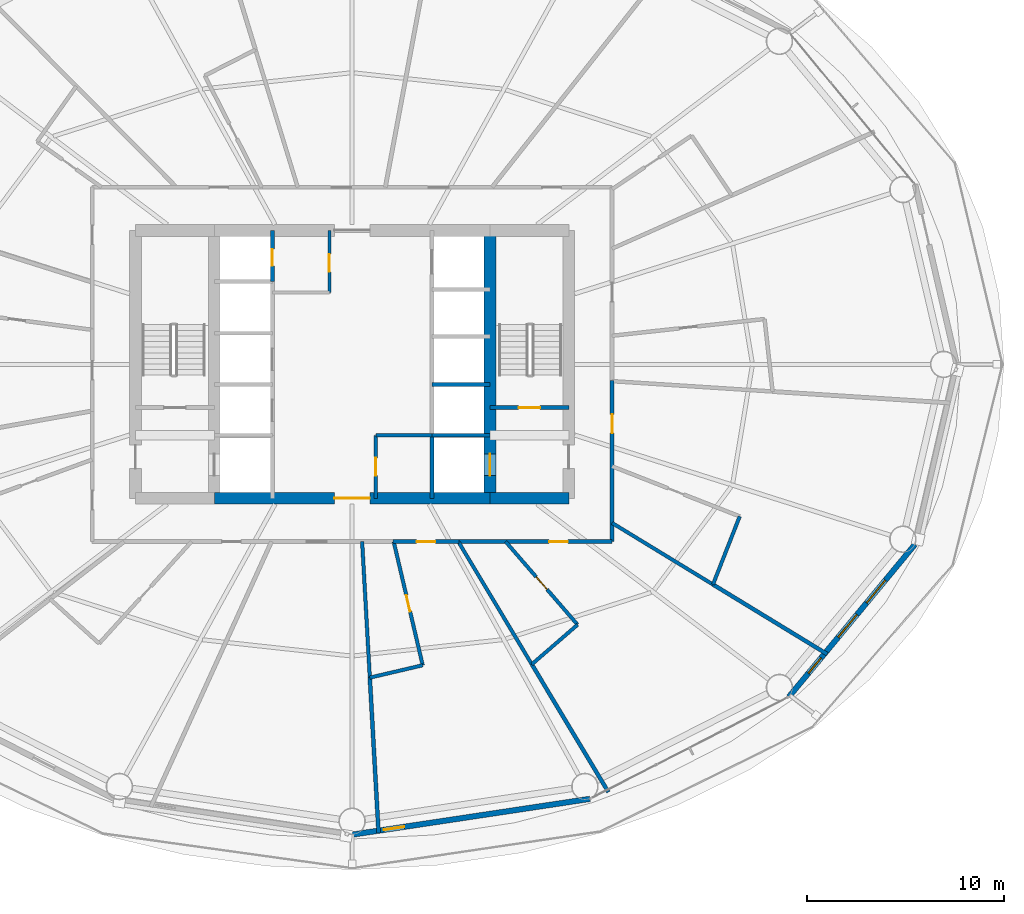
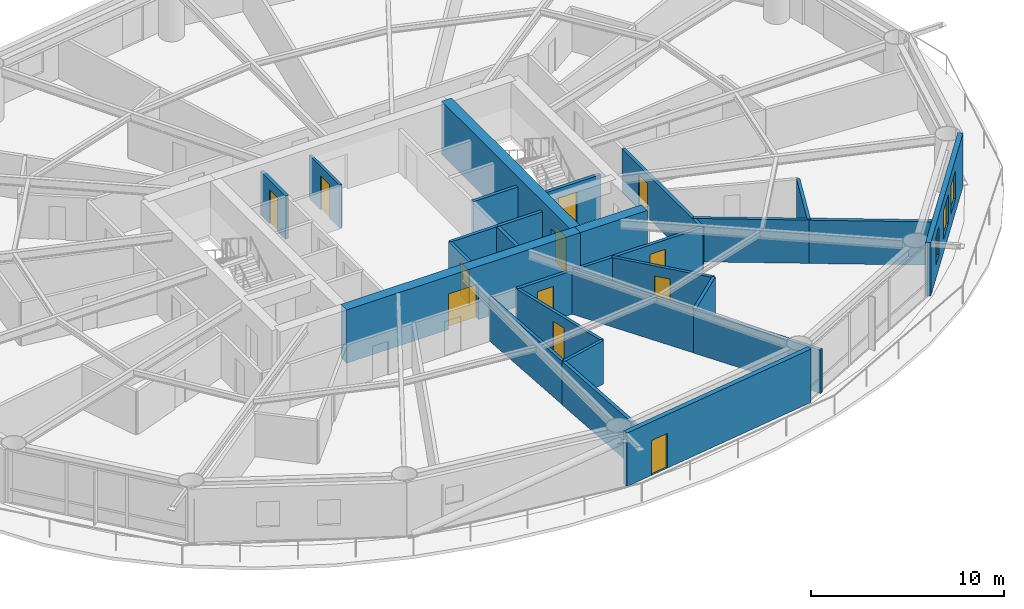
# One storey, part 21 of 26: 27 walls, 12 doors, 3 windows, 15 openings.
"""IFC4 building model written with IfcOpenShell, lengths in metres."""

from ifc_helpers import new_model, si_unit, direction, frame, frame_2d, origin, place, context, subcontext, project, spatial, rectangle, extrude, material, layer, layer_set, type_object, element, fill, save


model = new_model("IFC4")

# Units and contexts
model_context = context("Model", 3, precision=1e-05, world=origin(), true_north=direction((0.0, 1.0)))
body_context = subcontext(model_context, "Body", "Model", "MODEL_VIEW")
ifc_project = project(units=[si_unit("LENGTHUNIT", "METRE"), si_unit("AREAUNIT", "SQUARE_METRE"), si_unit("VOLUMEUNIT", "CUBIC_METRE"), si_unit("PLANEANGLEUNIT", "RADIAN"), si_unit("MASSUNIT", "GRAM", prefix="KILO")], contexts=[model_context])

# Site, building, storey
site_placement = place(None, origin())
site = spatial("IfcSite", under=ifc_project, at=site_placement, CompositionType="ELEMENT")
building_placement = place(site_placement, origin())
building = spatial("IfcBuilding", under=site, at=building_placement, Name="Sarneth Arch Tower", CompositionType="ELEMENT")
storey_placement = place(building_placement, frame((0.0, 0.0, 53.39990234375)))
storey = spatial("IfcBuildingStorey", under=building, at=storey_placement, Name="L12", CompositionType="ELEMENT", Elevation=53.39990234375)

# Wall, opening, door
ifc_material_1 = material(Name="Concrete C60/75", Category="concrete")
ifc_layer_1 = layer(ifc_material_1, 0.60009765625)
ifc_layer_set_1 = layer_set([ifc_layer_1], Name="Concrete C60/75")
wall_type_1 = type_object("IfcWallType", Name="WALL-CORE-600", PredefinedType="SHEAR", material=ifc_layer_set_1)
wall_1_placement = place(storey_placement, frame((41.0, 35.199951171875, 0.0), z_axis=(0.0, 0.0, 1.0), x_axis=(1.0, 0.0, 0.0)))
wall_1 = element("IfcWall", 1, at=wall_1_placement, inside=storey, type_object=wall_type_1, Name="L12 Core shear wall S-M", PredefinedType="SHEAR", context=body_context, shape_type="SweptSolid", body=[
    extrude(rectangle(XDim=14.0, YDim=0.60009765625, at=frame_2d((7.0, 0.0))), origin(), (0.0, 0.0, 1.0), 3.380126953125),
])
opening_1_placement = place(wall_1_placement, frame((6.10009765625, 0.0, 0.0)))
opening_1 = element("IfcOpeningElement", 2, at=opening_1_placement, cuts=wall_1, Name="Opening FD-01", PredefinedType="OPENING", context=body_context, shape_type="SweptSolid", body=[
    extrude(rectangle(XDim=1.800048828125, YDim=2.25, at=frame_2d((0.89990234375, 1.125))), frame((0.0, 0.31005859375, 0.0), z_axis=(0.0, -1.0, 0.0), x_axis=(1.0, 0.0, 0.0)), (0.0, 0.0, 1.0), 0.6201171875),
])
ifc_material_2 = material(Name="Galvanised Steel S275 fire door set", Category="steel")
door_type_1 = type_object("IfcDoorType", Name="DR-FD90-1800", OperationType="DOUBLE_DOOR_SINGLE_SWING", PredefinedType="DOOR", material=ifc_material_2)
door_1_placement = place(opening_1_placement, origin())
door_1 = element("IfcDoor", 3, at=door_1_placement, inside=storey, type_object=door_type_1, Name="L12 Central lift lobby south door", OperationType="DOUBLE_DOOR_SINGLE_SWING", OverallHeight=2.25, OverallWidth=1.800048828125, PredefinedType="DOOR", context=body_context, shape_type="SweptSolid", body=[
    extrude(rectangle(XDim=1.800048828125, YDim=2.25, at=frame_2d((0.89990234375, 1.125))), frame((0.0, 0.02490234375, 0.0), z_axis=(0.0, -1.0, 0.0), x_axis=(1.0, 0.0, 0.0)), (0.0, 0.0, 1.0), 0.050048828125),
])
fill(opening_1, door_1)

# Wall
wall_2_placement = place(storey_placement, frame((55.0, 35.199951171875, 0.0), z_axis=(0.0, 0.0, 1.0), x_axis=(1.0, 0.0, 0.0)))
element("IfcWall", 4, at=wall_2_placement, inside=storey, type_object=wall_type_1, Name="L12 Core shear wall S-E", PredefinedType="SHEAR", context=body_context, shape_type="SweptSolid", body=[
    extrude(rectangle(XDim=4.0, YDim=0.60009765625, at=frame_2d((2.0, 0.0))), origin(), (0.0, 0.0, 1.0), 3.380126953125),
])

# Wall, opening, door
wall_3_placement = place(storey_placement, frame((55.0, 35.199951171875, 0.0), z_axis=(0.0, 0.0, 1.0), x_axis=(0.0, 1.0, 0.0)))
wall_3 = element("IfcWall", 5, at=wall_3_placement, inside=storey, type_object=wall_type_1, Name="L12 Core shear wall WEB-E", PredefinedType="SHEAR", context=body_context, shape_type="SweptSolid", body=[
    extrude(rectangle(XDim=13.60009765625, YDim=0.60009765625, at=frame_2d((6.800048828125, 0.0))), origin(), (0.0, 0.0, 1.0), 3.380126953125),
])
opening_2_placement = place(wall_3_placement, frame((1.14990234375, 0.0, 0.0)))
opening_2 = element("IfcOpeningElement", 6, at=opening_2_placement, cuts=wall_3, Name="Opening LD-1", PredefinedType="OPENING", context=body_context, shape_type="SweptSolid", body=[
    extrude(rectangle(XDim=1.10009765625, YDim=2.199951171875, at=frame_2d((0.550048828125, 1.10009765625))), frame((0.0, 0.31005859375, 0.0), z_axis=(0.0, -1.0, 0.0), x_axis=(1.0, 0.0, 0.0)), (0.0, 0.0, 1.0), 0.6201171875),
])
ifc_material_3 = material(Name="Brushed Stainless Steel 304 lift landing door", Category="steel")
door_type_2 = type_object("IfcDoorType", Name="DR-LIFT-SLIDE-1100", OperationType="SLIDING_TO_LEFT", PredefinedType="DOOR", material=ifc_material_3)
door_2_placement = place(opening_2_placement, origin())
door_2 = element("IfcDoor", 7, at=door_2_placement, inside=storey, type_object=door_type_2, Name="L12 Firefighting lift landing door FL-2", OperationType="SLIDING_TO_RIGHT", OverallHeight=2.199951171875, OverallWidth=1.10009765625, PredefinedType="DOOR", context=body_context, shape_type="SweptSolid", body=[
    extrude(rectangle(XDim=1.10009765625, YDim=2.199951171875, at=frame_2d((0.550048828125, 1.10009765625))), frame((0.0, 0.02490234375, 0.0), z_axis=(0.0, -1.0, 0.0), x_axis=(1.0, 0.0, 0.0)), (0.0, 0.0, 1.0), 0.050048828125),
])
fill(opening_2, door_2)

ifc_material_4 = material(Name="Double steel-stud corridor fire wall", Category="steel")
ifc_layer_2 = layer(ifc_material_4, 0.18994140625)
ifc_layer_set_2 = layer_set([ifc_layer_2], Name="Double steel-stud corridor fire wall")
wall_type_2 = type_object("IfcWallType", Name="WALL-CORR-190", PredefinedType="PARTITIONING", material=ifc_layer_set_2)
wall_4_placement = place(storey_placement, frame((61.199951171875, 33.0, 0.0), z_axis=(0.0, 0.0, 1.0), x_axis=(-1.0, 0.0, 0.0)))
wall_4 = element("IfcWall", 8, at=wall_4_placement, inside=storey, type_object=wall_type_2, Name="L12 Interior partition W-L12-TP-022", PredefinedType="PARTITIONING", context=body_context, shape_type="SweptSolid", body=[
    extrude(rectangle(XDim=7.845947265625, YDim=0.18994140625, at=frame_2d((3.9228515625, 0.0))), origin(), (0.0, 0.0, 1.0), 2.739990234375),
])
opening_3_placement = place(wall_4_placement, frame((2.249267578125, 0.0, 0.0)))
opening_3 = element("IfcOpeningElement", 9, at=opening_3_placement, cuts=wall_4, Name="Opening FD-09", PredefinedType="OPENING", context=body_context, shape_type="SweptSolid", body=[
    extrude(rectangle(XDim=0.949951171875, YDim=2.14990234375, at=frame_2d((0.47509765625, 1.074951171875))), frame((0.0, 0.10498046875, 0.0), z_axis=(0.0, -1.0, 0.0), x_axis=(1.0, 0.0, 0.0)), (0.0, 0.0, 1.0), 0.2099609375),
])
ifc_material_5 = material(Name="Hardwood timber hotel entrance fire door", Category="wood")
door_type_3 = type_object("IfcDoorType", Name="DR-FD60-950", OperationType="SINGLE_SWING_RIGHT", PredefinedType="DOOR", material=ifc_material_5)
door_3_placement = place(opening_3_placement, origin())
door_3 = element("IfcDoor", 10, at=door_3_placement, inside=storey, type_object=door_type_3, Name="L12 Interior door DR-L12-KEY-11", OperationType="SINGLE_SWING_LEFT", OverallHeight=2.14990234375, OverallWidth=0.949951171875, PredefinedType="DOOR", context=body_context, shape_type="SweptSolid", body=[
    extrude(rectangle(XDim=0.949951171875, YDim=2.14990234375, at=frame_2d((0.47509765625, 1.074951171875))), frame((0.0, 0.02490234375, 0.0), z_axis=(0.0, -1.0, 0.0), x_axis=(1.0, 0.0, 0.0)), (0.0, 0.0, 1.0), 0.050048828125),
])
fill(opening_3, door_3)

wall_5_placement = place(storey_placement, frame((61.199951171875, 41.180419921875, 0.0), z_axis=(0.0, 0.0, 1.0), x_axis=(0.0, -1.0, 0.0)))
wall_5 = element("IfcWall", 11, at=wall_5_placement, inside=storey, type_object=wall_type_2, Name="L12 Interior partition W-L12-TP-024", PredefinedType="PARTITIONING", context=body_context, shape_type="SweptSolid", body=[
    extrude(rectangle(XDim=8.180419921875, YDim=0.18994140625, at=frame_2d((4.09033203125, 0.0))), origin(), (0.0, 0.0, 1.0), 2.739990234375),
])
opening_4_placement = place(wall_5_placement, frame((1.720947265625, 0.0, 0.0)))
opening_4 = element("IfcOpeningElement", 12, at=opening_4_placement, cuts=wall_5, Name="Opening FD-09", PredefinedType="OPENING", context=body_context, shape_type="SweptSolid", body=[
    extrude(rectangle(XDim=0.949951171875, YDim=2.14990234375, at=frame_2d((0.47509765625, 1.074951171875))), frame((0.0, 0.10498046875, 0.0), z_axis=(0.0, -1.0, 0.0), x_axis=(1.0, 0.0, 0.0)), (0.0, 0.0, 1.0), 0.2099609375),
])
door_4_placement = place(opening_4_placement, origin())
door_4 = element("IfcDoor", 13, at=door_4_placement, inside=storey, type_object=door_type_3, Name="L12 Interior door DR-L12-KEY-12", OperationType="SINGLE_SWING_RIGHT", OverallHeight=2.14990234375, OverallWidth=0.949951171875, PredefinedType="DOOR", context=body_context, shape_type="SweptSolid", body=[
    extrude(rectangle(XDim=0.949951171875, YDim=2.14990234375, at=frame_2d((0.47509765625, 1.074951171875))), frame((0.0, 0.02490234375, 0.0), z_axis=(0.0, -1.0, 0.0), x_axis=(1.0, 0.0, 0.0)), (0.0, 0.0, 1.0), 0.050048828125),
])
fill(opening_4, door_4)

wall_6_placement = place(storey_placement, frame((53.4287109375, 33.0, 0.0), z_axis=(0.0, 0.0, 1.0), x_axis=(-1.0, 0.0, 0.0)))
wall_6 = element("IfcWall", 14, at=wall_6_placement, inside=storey, type_object=wall_type_2, Name="L12 Interior partition W-L12-TP-019", PredefinedType="PARTITIONING", context=body_context, shape_type="SweptSolid", body=[
    extrude(rectangle(XDim=3.350830078125, YDim=0.18994140625, at=frame_2d((1.67529296875, 0.0))), origin(), (0.0, 0.0, 1.0), 2.739990234375),
])
opening_5_placement = place(wall_6_placement, frame((1.2001953125, 0.0, 0.0)))
opening_5 = element("IfcOpeningElement", 15, at=opening_5_placement, cuts=wall_6, Name="Opening FD-09", PredefinedType="OPENING", context=body_context, shape_type="SweptSolid", body=[
    extrude(rectangle(XDim=0.949951171875, YDim=2.14990234375, at=frame_2d((0.47509765625, 1.074951171875))), frame((0.0, 0.10498046875, 0.0), z_axis=(0.0, -1.0, 0.0), x_axis=(1.0, 0.0, 0.0)), (0.0, 0.0, 1.0), 0.2099609375),
])
door_5_placement = place(opening_5_placement, origin())
door_5 = element("IfcDoor", 16, at=door_5_placement, inside=storey, type_object=door_type_3, Name="L12 Interior door DR-L12-KEY-10", OperationType="SINGLE_SWING_LEFT", OverallHeight=2.14990234375, OverallWidth=0.949951171875, PredefinedType="DOOR", context=body_context, shape_type="SweptSolid", body=[
    extrude(rectangle(XDim=0.949951171875, YDim=2.14990234375, at=frame_2d((0.47509765625, 1.074951171875))), frame((0.0, 0.02490234375, 0.0), z_axis=(0.0, -1.0, 0.0), x_axis=(1.0, 0.0, 0.0)), (0.0, 0.0, 1.0), 0.050048828125),
])
fill(opening_5, door_5)

ifc_material_6 = material(Name="Extruded terracotta rainscreen on Concrete C40/50 backing", Category="masonry")
ifc_layer_3 = layer(ifc_material_6, 0.280029296875)
ifc_layer_set_3 = layer_set([ifc_layer_3], Name="Extruded terracotta rainscreen on Concrete C40/50 backing")
wall_type_3 = type_object("IfcWallType", Name="WALL-EXT-TERRA-280", PredefinedType="SOLIDWALL", material=ifc_layer_set_3)
wall_7_placement = place(storey_placement, frame((48.0, 18.1201171875, 0.0), z_axis=(0.0, 0.0, 1.0), x_axis=(0.988864835849, 0.148816452121, 0.0)))
wall_7 = element("IfcWall", 17, at=wall_7_placement, inside=storey, type_object=wall_type_3, Name="L12 Terracotta perimeter wall 13", PredefinedType="SOLIDWALL", context=body_context, shape_type="SweptSolid", body=[
    extrude(rectangle(XDim=12.2138671875, YDim=0.280029296875, at=frame_2d((6.10693359375, 0.0))), origin(), (0.0, 0.0, 1.0), 3.380126953125),
])
opening_6_placement = place(wall_7_placement, frame((1.62060546875, 0.0, 0.0)))
opening_6 = element("IfcOpeningElement", 18, at=opening_6_placement, cuts=wall_7, Name="Opening BD-4", PredefinedType="OPENING", context=body_context, shape_type="SweptSolid", body=[
    extrude(rectangle(XDim=1.050048828125, YDim=2.199951171875, at=frame_2d((0.52490234375, 1.10009765625))), frame((0.0, 0.14990234375, 0.0), z_axis=(0.0, -1.0, 0.0), x_axis=(1.0, 0.0, 0.0)), (0.0, 0.0, 1.0), 0.300048828125),
])
ifc_material_7 = material(Name="Thermally broken Aluminium 6063-T6 and laminated safety glass", Category="aluminium")
door_type_4 = type_object("IfcDoorType", Name="DR-BALC-GLZ-1050", OperationType="SINGLE_SWING_RIGHT", PredefinedType="DOOR", material=ifc_material_7)
door_6_placement = place(opening_6_placement, origin())
door_6 = element("IfcDoor", 19, at=door_6_placement, inside=storey, type_object=door_type_4, Name="L12 Balcony glazed door 13", OperationType="SINGLE_SWING_RIGHT", OverallHeight=2.199951171875, OverallWidth=1.050048828125, PredefinedType="DOOR", context=body_context, shape_type="SweptSolid", body=[
    extrude(rectangle(XDim=1.050048828125, YDim=2.199951171875, at=frame_2d((0.52490234375, 1.10009765625))), frame((0.0, 0.02490234375, 0.0), z_axis=(0.0, -1.0, 0.0), x_axis=(1.0, 0.0, 0.0)), (0.0, 0.0, 1.0), 0.050048828125),
])
fill(opening_6, door_6)

# Wall, openings, windows
wall_8_placement = place(storey_placement, frame((70.174072265625, 25.1142578125, 0.0), z_axis=(0.0, 0.0, 1.0), x_axis=(0.637296809613, 0.770618437657, 0.0)))
wall_8 = element("IfcWall", 20, at=wall_8_placement, inside=storey, type_object=wall_type_3, Name="L12 Terracotta perimeter wall 15", PredefinedType="SOLIDWALL", context=body_context, shape_type="SweptSolid", body=[
    extrude(rectangle(XDim=10.053466796875, YDim=0.280029296875, at=frame_2d((5.02685546875, 0.0))), origin(), (0.0, 0.0, 1.0), 3.380126953125),
])
opening_7_placement = place(wall_8_placement, frame((1.565185546875, 0.0, 0.85009765625)))
opening_7 = element("IfcOpeningElement", 21, at=opening_7_placement, cuts=wall_8, Name="Opening W-11", PredefinedType="OPENING", context=body_context, shape_type="SweptSolid", body=[
    extrude(rectangle(XDim=1.0, YDim=1.800048828125, at=frame_2d((0.5, 0.89990234375))), frame((0.0, 0.14990234375, 0.0), z_axis=(0.0, -1.0, 0.0), x_axis=(1.0, 0.0, 0.0)), (0.0, 0.0, 1.0), 0.300048828125),
])
opening_8_placement = place(wall_8_placement, frame((3.929931640625, 0.0, 0.85009765625)))
opening_8 = element("IfcOpeningElement", 22, at=opening_8_placement, cuts=wall_8, Name="Opening W-07", PredefinedType="OPENING", context=body_context, shape_type="SweptSolid", body=[
    extrude(rectangle(XDim=1.5, YDim=1.800048828125, at=frame_2d((0.75, 0.89990234375))), frame((0.0, 0.14990234375, 0.0), z_axis=(0.0, -1.0, 0.0), x_axis=(1.0, 0.0, 0.0)), (0.0, 0.0, 1.0), 0.300048828125),
])
opening_9_placement = place(wall_8_placement, frame((6.19580078125, 0.0, 0.85009765625)))
opening_9 = element("IfcOpeningElement", 23, at=opening_9_placement, cuts=wall_8, Name="Opening W-07", PredefinedType="OPENING", context=body_context, shape_type="SweptSolid", body=[
    extrude(rectangle(XDim=1.5, YDim=1.800048828125, at=frame_2d((0.75, 0.89990234375))), frame((0.0, 0.14990234375, 0.0), z_axis=(0.0, -1.0, 0.0), x_axis=(1.0, 0.0, 0.0)), (0.0, 0.0, 1.0), 0.300048828125),
])
ifc_material_8 = material(Name="Thermally broken Aluminium 6063-T6 and low-e laminated IGU", Category="aluminium")
window_type_1 = type_object("IfcWindowType", Name="WIN-TWR-1000x1800", PartitioningType="SINGLE_PANEL", PredefinedType="WINDOW", material=ifc_material_8)
window_1_placement = place(opening_7_placement, origin())
window_1 = element("IfcWindow", 24, at=window_1_placement, inside=storey, type_object=window_type_1, Name="L12 Exterior window 15A", OverallHeight=1.800048828125, OverallWidth=1.0, PartitioningType="SINGLE_PANEL", PredefinedType="WINDOW", context=body_context, shape_type="SweptSolid", body=[
    extrude(rectangle(XDim=1.0, YDim=1.800048828125, at=frame_2d((0.5, 0.89990234375))), frame((0.0, 0.030029296875, 0.0), z_axis=(0.0, -1.0, 0.0), x_axis=(1.0, 0.0, 0.0)), (0.0, 0.0, 1.0), 0.06005859375),
])
fill(opening_7, window_1)
ifc_material_9 = material(Name="Thermally broken Aluminium 6063-T6 and low-e laminated IGU", Category="aluminium")
window_type_2 = type_object("IfcWindowType", Name="WIN-TWR-1500x1800", PartitioningType="SINGLE_PANEL", PredefinedType="WINDOW", material=ifc_material_9)
window_2_placement = place(opening_8_placement, origin())
window_2 = element("IfcWindow", 25, at=window_2_placement, inside=storey, type_object=window_type_2, Name="L12 Exterior window 15B", OverallHeight=1.800048828125, OverallWidth=1.5, PartitioningType="SINGLE_PANEL", PredefinedType="WINDOW", context=body_context, shape_type="SweptSolid", body=[
    extrude(rectangle(XDim=1.5, YDim=1.800048828125, at=frame_2d((0.75, 0.89990234375))), frame((0.0, 0.030029296875, 0.0), z_axis=(0.0, -1.0, 0.0), x_axis=(1.0, 0.0, 0.0)), (0.0, 0.0, 1.0), 0.06005859375),
])
fill(opening_8, window_2)
window_3_placement = place(opening_9_placement, origin())
window_3 = element("IfcWindow", 26, at=window_3_placement, inside=storey, type_object=window_type_2, Name="L12 Exterior window 15C", OverallHeight=1.800048828125, OverallWidth=1.5, PartitioningType="SINGLE_PANEL", PredefinedType="WINDOW", context=body_context, shape_type="SweptSolid", body=[
    extrude(rectangle(XDim=1.5, YDim=1.800048828125, at=frame_2d((0.75, 0.89990234375))), frame((0.0, 0.030029296875, 0.0), z_axis=(0.0, -1.0, 0.0), x_axis=(1.0, 0.0, 0.0)), (0.0, 0.0, 1.0), 0.06005859375),
])
fill(opening_9, window_3)

# Wall, opening, door
ifc_material_10 = material(Name="Acoustic gypsum stud partition", Category="gypsum")
ifc_layer_4 = layer(ifc_material_10, 0.14990234375)
ifc_layer_set_4 = layer_set([ifc_layer_4], Name="Acoustic gypsum stud partition")
wall_type_4 = type_object("IfcWallType", Name="WALL-PART-150", PredefinedType="PARTITIONING", material=ifc_layer_set_4)
wall_9_placement = place(storey_placement, frame((46.85009765625, 45.64990234375, 0.0), z_axis=(0.0, 0.0, 1.0), x_axis=(0.0, 1.0, 0.0)))
wall_9 = element("IfcWall", 27, at=wall_9_placement, inside=storey, type_object=wall_type_4, Name="L12 Interior partition W-L12-CSUP1-E", PredefinedType="PARTITIONING", context=body_context, shape_type="SweptSolid", body=[
    extrude(rectangle(XDim=3.150146484375, YDim=0.14990234375, at=frame_2d((1.5751953125, 0.0))), origin(), (0.0, 0.0, 1.0), 2.739990234375),
])
opening_10_placement = place(wall_9_placement, frame((1.050048828125, 0.0, 0.0)))
opening_10 = element("IfcOpeningElement", 28, at=opening_10_placement, cuts=wall_9, Name="Opening FD-10", PredefinedType="OPENING", context=body_context, shape_type="SweptSolid", body=[
    extrude(rectangle(XDim=0.89990234375, YDim=2.14990234375, at=frame_2d((0.449951171875, 1.074951171875))), frame((0.0, 0.0849609375, 0.0), z_axis=(0.0, -1.0, 0.0), x_axis=(1.0, 0.0, 0.0)), (0.0, 0.0, 1.0), 0.169921875),
])
ifc_material_11 = material(Name="Galvanised Steel S275 riser/service fire door", Category="steel")
door_type_5 = type_object("IfcDoorType", Name="DR-FD60-900", OperationType="SINGLE_SWING_LEFT", PredefinedType="DOOR", material=ifc_material_11)
door_7_placement = place(opening_10_placement, origin())
door_7 = element("IfcDoor", 29, at=door_7_placement, inside=storey, type_object=door_type_5, Name="L12 Interior door DR-L12-CSUP1", OperationType="SINGLE_SWING_LEFT", OverallHeight=2.14990234375, OverallWidth=0.89990234375, PredefinedType="DOOR", context=body_context, shape_type="SweptSolid", body=[
    extrude(rectangle(XDim=0.89990234375, YDim=2.14990234375, at=frame_2d((0.449951171875, 1.074951171875))), frame((0.0, 0.02490234375, 0.0), z_axis=(0.0, -1.0, 0.0), x_axis=(1.0, 0.0, 0.0)), (0.0, 0.0, 1.0), 0.050048828125),
])
fill(opening_10, door_7)

# Wall
ifc_material_12 = material(Name="Moisture-resistant plumbing chase wall", Category="gypsum")
ifc_layer_5 = layer(ifc_material_12, 0.179931640625)
ifc_layer_set_5 = layer_set([ifc_layer_5], Name="Moisture-resistant plumbing chase wall")
wall_type_5 = type_object("IfcWallType", Name="WALL-PLUMB-180", PredefinedType="PLUMBINGWALL", material=ifc_layer_set_5)
wall_10_placement = place(storey_placement, frame((49.199951171875, 38.39990234375, 0.0), z_axis=(0.0, 0.0, 1.0), x_axis=(1.0, 0.0, 0.0)))
element("IfcWall", 30, at=wall_10_placement, inside=storey, type_object=wall_type_5, Name="L12 Interior partition W-L12-AWC-N", PredefinedType="PLUMBINGWALL", context=body_context, shape_type="SweptSolid", body=[
    extrude(rectangle(XDim=2.85009765625, YDim=0.179931640625, at=frame_2d((1.425048828125, 0.0))), origin(), (0.0, 0.0, 1.0), 2.739990234375),
])

# Wall, opening, door
wall_11_placement = place(storey_placement, frame((49.199951171875, 35.199951171875, 0.0), z_axis=(0.0, 0.0, 1.0), x_axis=(0.0, 1.0, 0.0)))
wall_11 = element("IfcWall", 31, at=wall_11_placement, inside=storey, type_object=wall_type_5, Name="L12 Interior partition W-L12-AWC-W", PredefinedType="PLUMBINGWALL", context=body_context, shape_type="SweptSolid", body=[
    extrude(rectangle(XDim=3.199951171875, YDim=0.179931640625, at=frame_2d((1.60009765625, 0.0))), origin(), (0.0, 0.0, 1.0), 2.739990234375),
])
opening_11_placement = place(wall_11_placement, frame((1.14990234375, 0.0, 0.0)))
opening_11 = element("IfcOpeningElement", 32, at=opening_11_placement, cuts=wall_11, Name="Opening ID-01", PredefinedType="OPENING", context=body_context, shape_type="SweptSolid", body=[
    extrude(rectangle(XDim=0.89990234375, YDim=2.10009765625, at=frame_2d((0.449951171875, 1.050048828125))), frame((0.0, 0.099853515625, 0.0), z_axis=(0.0, -1.0, 0.0), x_axis=(1.0, 0.0, 0.0)), (0.0, 0.0, 1.0), 0.199951171875),
])
ifc_material_13 = material(Name="Engineered hardwood flush door", Category="wood")
door_type_6 = type_object("IfcDoorType", Name="DR-INT-900", OperationType="SINGLE_SWING_LEFT", PredefinedType="DOOR", material=ifc_material_13)
door_8_placement = place(opening_11_placement, origin())
door_8 = element("IfcDoor", 33, at=door_8_placement, inside=storey, type_object=door_type_6, Name="L12 Interior door DR-L12-AWC", OperationType="SINGLE_SWING_RIGHT", OverallHeight=2.10009765625, OverallWidth=0.89990234375, PredefinedType="DOOR", context=body_context, shape_type="SweptSolid", body=[
    extrude(rectangle(XDim=0.89990234375, YDim=2.10009765625, at=frame_2d((0.449951171875, 1.050048828125))), frame((0.0, 0.02490234375, 0.0), z_axis=(0.0, -1.0, 0.0), x_axis=(1.0, 0.0, 0.0)), (0.0, 0.0, 1.0), 0.050048828125),
])
fill(opening_11, door_8)

# Walls
wall_12_placement = place(storey_placement, frame((57.123779296875, 26.76904296875, 0.0), z_axis=(0.0, 0.0, 1.0), x_axis=(-0.513872793929, 0.857866394994, 0.0)))
element("IfcWall", 34, at=wall_12_placement, inside=storey, type_object=wall_type_5, Name="L12 Interior partition W-L12-TP-060", PredefinedType="PLUMBINGWALL", context=body_context, shape_type="SweptSolid", body=[
    extrude(rectangle(XDim=7.263427734375, YDim=0.179931640625, at=frame_2d((3.6318359375, 0.0))), origin(), (0.0, 0.0, 1.0), 2.739990234375),
])
wall_13_placement = place(storey_placement, frame((48.89794921875, 26.09228515625, 0.0), z_axis=(0.0, 0.0, 1.0), x_axis=(-0.056353367692, 0.998410886334, 0.0)))
element("IfcWall", 35, at=wall_13_placement, inside=storey, type_object=wall_type_5, Name="L12 Interior partition W-L12-TP-056", PredefinedType="PLUMBINGWALL", context=body_context, shape_type="SweptSolid", body=[
    extrude(rectangle(XDim=6.918701171875, YDim=0.179931640625, at=frame_2d((3.45947265625, 0.0))), origin(), (0.0, 0.0, 1.0), 2.739990234375),
])

# Wall, opening, door
wall_14_placement = place(storey_placement, frame((50.11083984375, 33.0, 0.0), z_axis=(0.0, 0.0, 1.0), x_axis=(0.228380862789, -0.973571867666, 0.0)))
wall_14 = element("IfcWall", 36, at=wall_14_placement, inside=storey, type_object=wall_type_5, Name="L12 Interior partition W-L12-TP-057", PredefinedType="PLUMBINGWALL", context=body_context, shape_type="SweptSolid", body=[
    extrude(rectangle(XDim=6.4482421875, YDim=0.179931640625, at=frame_2d((3.22412109375, 0.0))), origin(), (0.0, 0.0, 1.0), 2.739990234375),
])
opening_12_placement = place(wall_14_placement, frame((2.799072265625, 0.0, 0.0)))
opening_12 = element("IfcOpeningElement", 37, at=opening_12_placement, cuts=wall_14, Name="Opening ID-02", PredefinedType="OPENING", context=body_context, shape_type="SweptSolid", body=[
    extrude(rectangle(XDim=0.85009765625, YDim=2.10009765625, at=frame_2d((0.425048828125, 1.050048828125))), frame((0.0, 0.099853515625, 0.0), z_axis=(0.0, -1.0, 0.0), x_axis=(1.0, 0.0, 0.0)), (0.0, 0.0, 1.0), 0.199951171875),
])
ifc_material_14 = material(Name="Moisture-resistant bathroom timber door", Category="wood")
door_type_7 = type_object("IfcDoorType", Name="DR-INT-850", OperationType="SINGLE_SWING_RIGHT", PredefinedType="DOOR", material=ifc_material_14)
door_9_placement = place(opening_12_placement, origin())
door_9 = element("IfcDoor", 38, at=door_9_placement, inside=storey, type_object=door_type_7, Name="L12 Interior door DR-L12-ENS-10", OperationType="SINGLE_SWING_LEFT", OverallHeight=2.10009765625, OverallWidth=0.85009765625, PredefinedType="DOOR", context=body_context, shape_type="SweptSolid", body=[
    extrude(rectangle(XDim=0.85009765625, YDim=2.10009765625, at=frame_2d((0.425048828125, 1.050048828125))), frame((0.0, 0.02490234375, 0.0), z_axis=(0.0, -1.0, 0.0), x_axis=(1.0, 0.0, 0.0)), (0.0, 0.0, 1.0), 0.050048828125),
])
fill(opening_12, door_9)

# Wall
wall_15_placement = place(storey_placement, frame((66.323486328125, 30.822021484375, 0.0), z_axis=(0.0, 0.0, 1.0), x_axis=(-0.853693843866, 0.52077521153, 0.0)))
element("IfcWall", 39, at=wall_15_placement, inside=storey, type_object=wall_type_5, Name="L12 Interior partition W-L12-TP-064", PredefinedType="PLUMBINGWALL", context=body_context, shape_type="SweptSolid", body=[
    extrude(rectangle(XDim=6.001708984375, YDim=0.179931640625, at=frame_2d((3.0009765625, 0.0))), origin(), (0.0, 0.0, 1.0), 2.739990234375),
])

# Wall, opening, door
wall_16_placement = place(storey_placement, frame((55.7939453125, 33.0, 0.0), z_axis=(0.0, 0.0, 1.0), x_axis=(0.654630697525, -0.755948840767, 0.0)))
wall_16 = element("IfcWall", 40, at=wall_16_placement, inside=storey, type_object=wall_type_5, Name="L12 Interior partition W-L12-TP-061", PredefinedType="PLUMBINGWALL", context=body_context, shape_type="SweptSolid", body=[
    extrude(rectangle(XDim=5.580810546875, YDim=0.179931640625, at=frame_2d((2.79052734375, 0.0))), origin(), (0.0, 0.0, 1.0), 2.739990234375),
])
opening_13_placement = place(wall_16_placement, frame((2.365478515625, 0.0, 0.0)))
opening_13 = element("IfcOpeningElement", 41, at=opening_13_placement, cuts=wall_16, Name="Opening ID-02", PredefinedType="OPENING", context=body_context, shape_type="SweptSolid", body=[
    extrude(rectangle(XDim=0.85009765625, YDim=2.10009765625, at=frame_2d((0.425048828125, 1.050048828125))), frame((0.0, 0.099853515625, 0.0), z_axis=(0.0, -1.0, 0.0), x_axis=(1.0, 0.0, 0.0)), (0.0, 0.0, 1.0), 0.199951171875),
])
door_10_placement = place(opening_13_placement, origin())
door_10 = element("IfcDoor", 42, at=door_10_placement, inside=storey, type_object=door_type_7, Name="L12 Interior door DR-L12-ENS-11", OperationType="SINGLE_SWING_LEFT", OverallHeight=2.10009765625, OverallWidth=0.85009765625, PredefinedType="DOOR", context=body_context, shape_type="SweptSolid", body=[
    extrude(rectangle(XDim=0.85009765625, YDim=2.10009765625, at=frame_2d((0.425048828125, 1.050048828125))), frame((0.0, 0.02490234375, 0.0), z_axis=(0.0, -1.0, 0.0), x_axis=(1.0, 0.0, 0.0)), (0.0, 0.0, 1.0), 0.050048828125),
])
fill(opening_13, door_10)

# Walls
wall_17_placement = place(storey_placement, frame((67.680419921875, 34.28125, 0.0), z_axis=(0.0, 0.0, 1.0), x_axis=(-0.365174619735, -0.930939040486, 0.0)))
element("IfcWall", 43, at=wall_17_placement, inside=storey, type_object=wall_type_5, Name="L12 Interior partition W-L12-TP-066", PredefinedType="PLUMBINGWALL", context=body_context, shape_type="SweptSolid", body=[
    extrude(rectangle(XDim=3.7158203125, YDim=0.179931640625, at=frame_2d((1.85791015625, 0.0))), origin(), (0.0, 0.0, 1.0), 2.739990234375),
])
wall_18_placement = place(storey_placement, frame((59.447265625, 28.78125, 0.0), z_axis=(0.0, 0.0, 1.0), x_axis=(-0.755927521829, -0.654655315217, 0.0)))
element("IfcWall", 44, at=wall_18_placement, inside=storey, type_object=wall_type_5, Name="L12 Interior partition W-L12-TP-062", PredefinedType="PLUMBINGWALL", context=body_context, shape_type="SweptSolid", body=[
    extrude(rectangle(XDim=3.07373046875, YDim=0.179931640625, at=frame_2d((1.536865234375, 0.0))), origin(), (0.0, 0.0, 1.0), 2.739990234375),
])
wall_19_placement = place(storey_placement, frame((51.58349609375, 26.72216796875, 0.0), z_axis=(0.0, 0.0, 1.0), x_axis=(-0.973579428385, -0.228348629567, 0.0)))
element("IfcWall", 45, at=wall_19_placement, inside=storey, type_object=wall_type_5, Name="L12 Interior partition W-L12-TP-058", PredefinedType="PLUMBINGWALL", context=body_context, shape_type="SweptSolid", body=[
    extrude(rectangle(XDim=2.758544921875, YDim=0.179931640625, at=frame_2d((1.37939453125, 0.0))), origin(), (0.0, 0.0, 1.0), 2.739990234375),
])

# Wall, opening, door
ifc_material_15 = material(Name="Aerated concrete blockwork C25/30", Category="masonry")
ifc_layer_6 = layer(ifc_material_15, 0.199951171875)
ifc_layer_set_6 = layer_set([ifc_layer_6], Name="Aerated concrete blockwork C25/30")
wall_type_6 = type_object("IfcWallType", Name="WALL-SHAFT-200", PredefinedType="SOLIDWALL", material=ifc_layer_set_6)
wall_20_placement = place(storey_placement, frame((55.0, 39.800048828125, 0.0), z_axis=(0.0, 0.0, 1.0), x_axis=(1.0, 0.0, 0.0)))
wall_20 = element("IfcWall", 46, at=wall_20_placement, inside=storey, type_object=wall_type_6, Name="L12 Interior partition W-L12-ST2-S", PredefinedType="SOLIDWALL", context=body_context, shape_type="SweptSolid", body=[
    extrude(rectangle(XDim=4.0, YDim=0.199951171875, at=frame_2d((2.0, 0.0))), origin(), (0.0, 0.0, 1.0), 2.739990234375),
])
opening_14_placement = place(wall_20_placement, frame((1.449951171875, 0.0, 0.0)))
opening_14 = element("IfcOpeningElement", 47, at=opening_14_placement, cuts=wall_20, Name="Opening FD-03", PredefinedType="OPENING", context=body_context, shape_type="SweptSolid", body=[
    extrude(rectangle(XDim=1.10009765625, YDim=2.14990234375, at=frame_2d((0.550048828125, 1.074951171875))), frame((0.0, 0.10986328125, 0.0), z_axis=(0.0, -1.0, 0.0), x_axis=(1.0, 0.0, 0.0)), (0.0, 0.0, 1.0), 0.219970703125),
])
ifc_material_16 = material(Name="Galvanised Steel S275 fire door set", Category="steel")
door_type_8 = type_object("IfcDoorType", Name="DR-FD90-1100", OperationType="SINGLE_SWING_LEFT", PredefinedType="DOOR", material=ifc_material_16)
door_11_placement = place(opening_14_placement, origin())
door_11 = element("IfcDoor", 48, at=door_11_placement, inside=storey, type_object=door_type_8, Name="L12 Interior door DR-L12-ST2", OperationType="SINGLE_SWING_RIGHT", OverallHeight=2.14990234375, OverallWidth=1.10009765625, PredefinedType="DOOR", context=body_context, shape_type="SweptSolid", body=[
    extrude(rectangle(XDim=1.10009765625, YDim=2.14990234375, at=frame_2d((0.550048828125, 1.074951171875))), frame((0.0, 0.02490234375, 0.0), z_axis=(0.0, -1.0, 0.0), x_axis=(1.0, 0.0, 0.0)), (0.0, 0.0, 1.0), 0.050048828125),
])
fill(opening_14, door_11)

# Walls
wall_21_placement = place(storey_placement, frame((52.050048828125, 35.199951171875, 0.0), z_axis=(0.0, 0.0, 1.0), x_axis=(0.0, 1.0, 0.0)))
element("IfcWall", 49, at=wall_21_placement, inside=storey, type_object=wall_type_6, Name="L12 Interior partition W-L12-FL2-W", PredefinedType="SOLIDWALL", context=body_context, shape_type="SweptSolid", body=[
    extrude(rectangle(XDim=3.199951171875, YDim=0.199951171875, at=frame_2d((1.60009765625, 0.0))), origin(), (0.0, 0.0, 1.0), 2.739990234375),
])
wall_22_placement = place(storey_placement, frame((52.050048828125, 38.39990234375, 0.0), z_axis=(0.0, 0.0, 1.0), x_axis=(1.0, 0.0, 0.0)))
element("IfcWall", 50, at=wall_22_placement, inside=storey, type_object=wall_type_6, Name="L12 Interior partition W-L12-FL2-N", PredefinedType="SOLIDWALL", context=body_context, shape_type="SweptSolid", body=[
    extrude(rectangle(XDim=2.949951171875, YDim=0.199951171875, at=frame_2d((1.47509765625, 0.0))), origin(), (0.0, 0.0, 1.0), 2.739990234375),
])

# Wall, opening, door
wall_23_placement = place(storey_placement, frame((43.949951171875, 46.199951171875, 0.0), z_axis=(0.0, 0.0, 1.0), x_axis=(0.0, 1.0, 0.0)))
wall_23 = element("IfcWall", 51, at=wall_23_placement, inside=storey, type_object=wall_type_6, Name="L12 Interior partition W-L12-RISER-E", PredefinedType="SOLIDWALL", context=body_context, shape_type="SweptSolid", body=[
    extrude(rectangle(XDim=2.60009765625, YDim=0.199951171875, at=frame_2d((1.300048828125, 0.0))), origin(), (0.0, 0.0, 1.0), 2.739990234375),
])
opening_15_placement = place(wall_23_placement, frame((0.800048828125, 0.0, 0.0)))
opening_15 = element("IfcOpeningElement", 52, at=opening_15_placement, cuts=wall_23, Name="Opening FD-11", PredefinedType="OPENING", context=body_context, shape_type="SweptSolid", body=[
    extrude(rectangle(XDim=0.85009765625, YDim=2.14990234375, at=frame_2d((0.425048828125, 1.074951171875))), frame((0.0, 0.10986328125, 0.0), z_axis=(0.0, -1.0, 0.0), x_axis=(1.0, 0.0, 0.0)), (0.0, 0.0, 1.0), 0.219970703125),
])
ifc_material_17 = material(Name="Galvanised Steel S275 closet fire door", Category="steel")
door_type_9 = type_object("IfcDoorType", Name="DR-FD60-850", OperationType="SINGLE_SWING_LEFT", PredefinedType="DOOR", material=ifc_material_17)
door_12_placement = place(opening_15_placement, origin())
door_12 = element("IfcDoor", 53, at=door_12_placement, inside=storey, type_object=door_type_9, Name="L12 Lift landing door DR-L12-RISER", OperationType="SINGLE_SWING_LEFT", OverallHeight=2.14990234375, OverallWidth=0.85009765625, PredefinedType="DOOR", context=body_context, shape_type="SweptSolid", body=[
    extrude(rectangle(XDim=0.85009765625, YDim=2.14990234375, at=frame_2d((0.425048828125, 1.074951171875))), frame((0.0, 0.02490234375, 0.0), z_axis=(0.0, -1.0, 0.0), x_axis=(1.0, 0.0, 0.0)), (0.0, 0.0, 1.0), 0.050048828125),
])
fill(opening_15, door_12)

# Walls
wall_24_placement = place(storey_placement, frame((52.050048828125, 40.97998046875, 0.0), z_axis=(0.0, 0.0, 1.0), x_axis=(1.0, 0.0, 0.0)))
element("IfcWall", 54, at=wall_24_placement, inside=storey, type_object=wall_type_6, Name="L12 Interior partition W-L12-EB-DIV-4098", PredefinedType="SOLIDWALL", context=body_context, shape_type="SweptSolid", body=[
    extrude(rectangle(XDim=2.949951171875, YDim=0.199951171875, at=frame_2d((1.47509765625, 0.0))), origin(), (0.0, 0.0, 1.0), 2.739990234375),
])
ifc_material_18 = material(Name="Double steel-stud acoustic drywall", Category="steel")
ifc_layer_7 = layer(ifc_material_18, 0.199951171875)
ifc_layer_set_7 = layer_set([ifc_layer_7], Name="Double steel-stud acoustic drywall")
wall_type_7 = type_object("IfcWallType", Name="WALL-UNIT-200", PredefinedType="PARTITIONING", material=ifc_layer_set_7)
wall_25_placement = place(storey_placement, frame((49.343505859375, 18.201416015625, 0.0), z_axis=(0.0, 0.0, 1.0), x_axis=(-0.056375038978, 0.998409662904, 0.0)))
element("IfcWall", 55, at=wall_25_placement, inside=storey, type_object=wall_type_7, Name="L12 Interior partition W-L12-TP-055", PredefinedType="PARTITIONING", context=body_context, shape_type="SweptSolid", body=[
    extrude(rectangle(XDim=7.9033203125, YDim=0.199951171875, at=frame_2d((3.95166015625, 0.0))), origin(), (0.0, 0.0, 1.0), 2.739990234375),
])
wall_26_placement = place(storey_placement, frame((61.01025390625, 20.28125, 0.0), z_axis=(0.0, 0.0, 1.0), x_axis=(-0.513892719639, 0.857854458928, 0.0)))
element("IfcWall", 56, at=wall_26_placement, inside=storey, type_object=wall_type_7, Name="L12 Interior partition W-L12-TP-059", PredefinedType="PARTITIONING", context=body_context, shape_type="SweptSolid", body=[
    extrude(rectangle(XDim=7.562744140625, YDim=0.199951171875, at=frame_2d((3.78125, 0.0))), origin(), (0.0, 0.0, 1.0), 2.739990234375),
])
wall_27_placement = place(storey_placement, frame((72.122802734375, 27.2841796875, 0.0), z_axis=(0.0, 0.0, 1.0), x_axis=(-0.853686673388, 0.520786965735, 0.0)))
element("IfcWall", 57, at=wall_27_placement, inside=storey, type_object=wall_type_7, Name="L12 Interior partition W-L12-TP-063", PredefinedType="PARTITIONING", context=body_context, shape_type="SweptSolid", body=[
    extrude(rectangle(XDim=6.793212890625, YDim=0.199951171875, at=frame_2d((3.396484375, 0.0))), origin(), (0.0, 0.0, 1.0), 2.739990234375),
])

save(model, "model.ifc")
